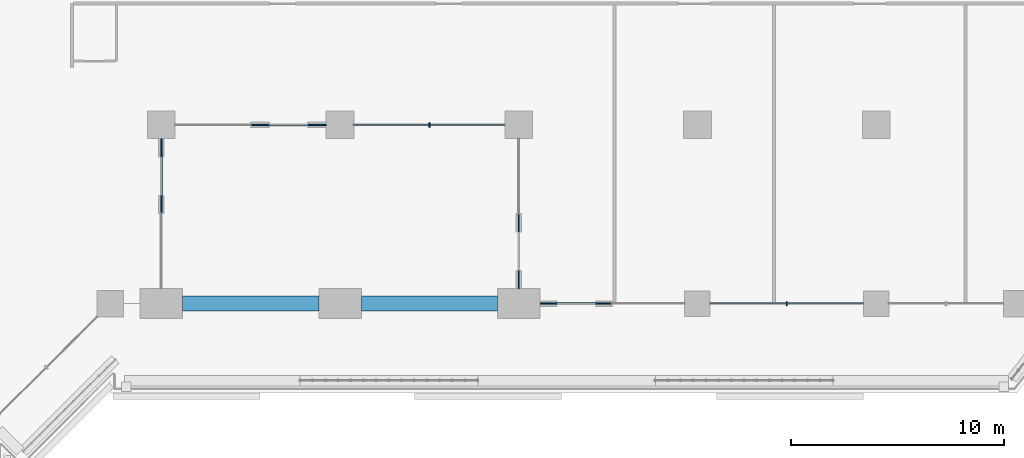
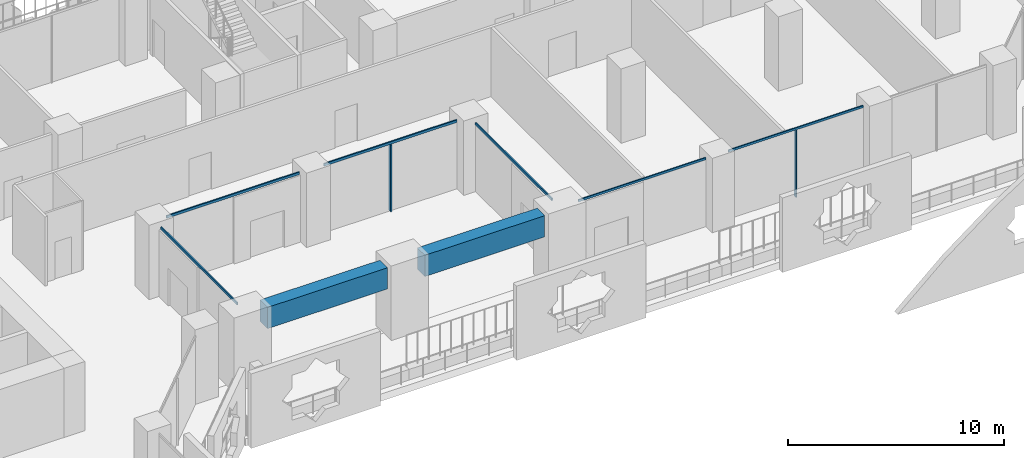
# One storey, part 5 of 27: 8 members, 2 beams, 4 elements without a shape of their own.
"""IFC4 building model written with IfcOpenShell, lengths in metres."""

from ifc_helpers import new_model, si_unit, direction, frame, origin, origin_2d, place, context, subcontext, project, spatial, rectangle, extrude, material, layer, layer_set, material_profile, profile_set, type_object, element, aggregate, save


model = new_model("IFC4")

# Units and contexts
model_context = context("Model", 3, precision=1e-05, world=origin(), true_north=direction((0.0, 1.0)))
body_context = subcontext(model_context, "Body", "Model", "MODEL_VIEW")
ifc_project = project(units=[si_unit("LENGTHUNIT", "METRE"), si_unit("AREAUNIT", "SQUARE_METRE"), si_unit("VOLUMEUNIT", "CUBIC_METRE"), si_unit("PLANEANGLEUNIT", "RADIAN"), si_unit("MASSUNIT", "GRAM", prefix="KILO")], contexts=[model_context])

# Site, building, storey
site_placement = place(None, origin())
site = spatial("IfcSite", under=ifc_project, at=site_placement, CompositionType="ELEMENT")
building_placement = place(site_placement, origin())
building = spatial("IfcBuilding", under=site, at=building_placement, Name="Kawkab Arch Medical Tower", CompositionType="ELEMENT")
storey_placement = place(building_placement, frame((0.0, 0.0, 39.199951171875)))
storey = spatial("IfcBuildingStorey", under=building, at=storey_placement, Name="L08", CompositionType="ELEMENT", Elevation=39.199951171875)

# Curtain wall, members
ifc_material_1 = material(Name="Bronze anodised aluminium curtain wall frame", Category="aluminium")
ifc_layer_1 = layer(ifc_material_1, 0.159912109375)
ifc_layer_set_1 = layer_set([ifc_layer_1], Name="Bronze anodised aluminium curtain wall frame")
curtain_wall_type_1 = type_object("IfcCurtainWallType", Name="CW1 ward curtain wall", PredefinedType="NOTDEFINED", material=ifc_layer_set_1)
placement = place(storey_placement, origin())
curtain_wall_1 = element("IfcCurtainWall", 1, at=placement, inside=storey, type_object=curtain_wall_type_1, Name="CW1 Ward curtain wall R05", PredefinedType="NOTDEFINED")
ifc_material_2 = material(Name="Bronze anodised aluminium curtain wall frame", Category="aluminium")
ifc_material_profile_1 = material_profile(ifc_material_2, rectangle(XDim=0.179931640625, YDim=0.06005859375, at=origin_2d()), Name="AL 60x180")
ifc_profile_set_1 = profile_set([ifc_material_profile_1], Name="Bronze anodised aluminium curtain wall frame")
member_type_1 = type_object("IfcMemberType", Name="CW1 mullion 60 x 180", PredefinedType="MULLION", material=ifc_profile_set_1)
member_1_placement = place(storey_placement, frame((63.0, -25.199951171875, 0.0), z_axis=(0.0, 0.0, 1.0), x_axis=(0.0, 1.0, 0.0)))
member_1 = element("IfcMember", 2, at=member_1_placement, type_object=member_type_1, Name="CW1 mullion 2.1", PredefinedType="MULLION", context=body_context, shape_type="SweptSolid", body=[
    extrude(rectangle(XDim=0.179931640625, YDim=0.06005859375, at=origin_2d()), origin(), (0.0, 0.0, 1.0), 3.780029296875),
])
ifc_material_3 = material(Name="Bronze anodised aluminium curtain wall frame", Category="aluminium")
ifc_material_profile_2 = material_profile(ifc_material_3, rectangle(XDim=0.06005859375, YDim=0.1201171875, at=origin_2d()), Name="AL 60x120")
ifc_profile_set_2 = profile_set([ifc_material_profile_2], Name="Bronze anodised aluminium curtain wall frame")
member_type_2 = type_object("IfcMemberType", Name="CW1 transom 120 x 60", PredefinedType="USERDEFINED", material=ifc_profile_set_2)
member_2_placement = place(storey_placement, frame((51.39990234375, -25.199951171875, 3.840087890625), z_axis=(1.0, 0.0, 0.0), x_axis=(0.0, 1.0, 0.0)))
member_2 = element("IfcMember", 3, at=member_2_placement, type_object=member_type_2, Name="CW1 transom 1", ObjectType="TRANSOM", PredefinedType="USERDEFINED", context=body_context, shape_type="SweptSolid", body=[
    extrude(rectangle(XDim=0.06005859375, YDim=0.1201171875, at=origin_2d()), origin(), (0.0, 0.0, 1.0), 6.800048828125),
])
member_3_placement = place(storey_placement, frame((59.39990234375, -25.199951171875, 3.840087890625), z_axis=(1.0, 0.0, 0.0), x_axis=(0.0, 1.0, 0.0)))
member_3 = element("IfcMember", 4, at=member_3_placement, type_object=member_type_2, Name="CW1 transom 2", ObjectType="TRANSOM", PredefinedType="USERDEFINED", context=body_context, shape_type="SweptSolid", body=[
    extrude(rectangle(XDim=0.06005859375, YDim=0.1201171875, at=origin_2d()), origin(), (0.0, 0.0, 1.0), 7.2001953125),
])
aggregate(curtain_wall_1, [member_2, member_3, member_1])

# Curtain wall, member
ifc_material_4 = material(Name="Bronze anodised aluminium curtain wall frame", Category="aluminium")
ifc_layer_2 = layer(ifc_material_4, 0.159912109375)
ifc_layer_set_2 = layer_set([ifc_layer_2], Name="Bronze anodised aluminium curtain wall frame")
curtain_wall_type_2 = type_object("IfcCurtainWallType", Name="CW3 sky garden curtain wall", PredefinedType="NOTDEFINED", material=ifc_layer_set_2)
curtain_wall_2 = element("IfcCurtainWall", 5, at=placement, inside=storey, type_object=curtain_wall_type_2, Name="CW3 Sky garden curtain wall R03", PredefinedType="NOTDEFINED")
ifc_material_5 = material(Name="Bronze anodised aluminium curtain wall frame", Category="aluminium")
ifc_material_profile_3 = material_profile(ifc_material_5, rectangle(XDim=0.219970703125, YDim=0.070068359375, at=origin_2d()), Name="AL 70x220")
ifc_profile_set_3 = profile_set([ifc_material_profile_3], Name="Bronze anodised aluminium curtain wall frame")
member_type_3 = type_object("IfcMemberType", Name="CW3 mullion 70 x 220", PredefinedType="MULLION", material=ifc_profile_set_3)
member_4_placement = place(storey_placement, frame((46.199951171875, -16.800048828125, 0.0), z_axis=(0.0, 0.0, 1.0), x_axis=(0.0, 1.0, 0.0)))
member_4 = element("IfcMember", 6, at=member_4_placement, type_object=member_type_3, Name="CW3 mullion 2.1", PredefinedType="MULLION", context=body_context, shape_type="SweptSolid", body=[
    extrude(rectangle(XDim=0.219970703125, YDim=0.070068359375, at=origin_2d()), origin(), (0.0, 0.0, 1.0), 3.760009765625),
])

curtain_wall_3 = element("IfcCurtainWall", 7, at=placement, inside=storey, type_object=curtain_wall_type_2, Name="CW3 Sky garden curtain wall R02", PredefinedType="NOTDEFINED")
ifc_material_6 = material(Name="Bronze anodised aluminium curtain wall frame", Category="aluminium")
ifc_material_profile_4 = material_profile(ifc_material_6, rectangle(XDim=0.070068359375, YDim=0.139892578125, at=origin_2d()), Name="AL 70x140")
ifc_profile_set_4 = profile_set([ifc_material_profile_4], Name="Bronze anodised aluminium curtain wall frame")
member_type_4 = type_object("IfcMemberType", Name="CW3 transom 140 x 70", PredefinedType="USERDEFINED", material=ifc_profile_set_4)
member_5_placement = place(storey_placement, frame((33.60009765625, -24.5, 3.830078125), z_axis=(0.0, 1.0, 0.0), x_axis=(-1.0, 0.0, 0.0)))
member_5 = element("IfcMember", 8, at=member_5_placement, type_object=member_type_4, Name="CW3 transom 1", ObjectType="TRANSOM", PredefinedType="USERDEFINED", context=body_context, shape_type="SweptSolid", body=[
    extrude(rectangle(XDim=0.070068359375, YDim=0.139892578125, at=origin_2d()), origin(), (0.0, 0.0, 1.0), 7.050048828125),
])
aggregate(curtain_wall_3, [member_5])

# Member
member_6_placement = place(storey_placement, frame((34.25, -16.800048828125, 3.830078125), z_axis=(1.0, 0.0, 0.0), x_axis=(0.0, 1.0, 0.0)))
member_6 = element("IfcMember", 9, at=member_6_placement, type_object=member_type_4, Name="CW3 transom 1", ObjectType="TRANSOM", PredefinedType="USERDEFINED", context=body_context, shape_type="SweptSolid", body=[
    extrude(rectangle(XDim=0.070068359375, YDim=0.139892578125, at=origin_2d()), origin(), (0.0, 0.0, 1.0), 7.10009765625),
])

member_7_placement = place(storey_placement, frame((42.64990234375, -16.800048828125, 3.830078125), z_axis=(1.0, 0.0, 0.0), x_axis=(0.0, 1.0, 0.0)))
member_7 = element("IfcMember", 10, at=member_7_placement, type_object=member_type_4, Name="CW3 transom 2", ObjectType="TRANSOM", PredefinedType="USERDEFINED", context=body_context, shape_type="SweptSolid", body=[
    extrude(rectangle(XDim=0.070068359375, YDim=0.139892578125, at=origin_2d()), origin(), (0.0, 0.0, 1.0), 7.10009765625),
])

aggregate(curtain_wall_2, [member_6, member_7, member_4])

# Curtain wall, member
curtain_wall_4 = element("IfcCurtainWall", 11, at=placement, inside=storey, type_object=curtain_wall_type_2, Name="CW3 Sky garden curtain wall R04", PredefinedType="NOTDEFINED")
member_8_placement = place(storey_placement, frame((50.39990234375, -17.449951171875, 3.830078125), z_axis=(0.0, -1.0, 0.0), x_axis=(1.0, 0.0, 0.0)))
member_8 = element("IfcMember", 12, at=member_8_placement, type_object=member_type_4, Name="CW3 transom 1", ObjectType="TRANSOM", PredefinedType="USERDEFINED", context=body_context, shape_type="SweptSolid", body=[
    extrude(rectangle(XDim=0.070068359375, YDim=0.139892578125, at=origin_2d()), origin(), (0.0, 0.0, 1.0), 7.050048828125),
])
aggregate(curtain_wall_4, [member_8])

# Beams
ifc_material_7 = material(Name="Concrete C60/75", Category="concrete")
ifc_material_profile_5 = material_profile(ifc_material_7, rectangle(XDim=0.699951171875, YDim=1.199951171875, at=origin_2d()), Name="RC 700x1200")
ifc_profile_set_5 = profile_set([ifc_material_profile_5], Name="Concrete C60/75")
beam_type = type_object("IfcBeamType", Name="RC 700x1200 beam C60/75", PredefinedType="BEAM", material=ifc_profile_set_5)
for number, where, z_axis, x_axis, name in (
    (13, (49.39990234375, -25.199951171875, 3.300048828125), (-1.0, 0.0, 0.0), (0.0, -1.0, 0.0), "Terrace frame beam TF-L08-1-L09-01"),
    (14, (41.0, -25.199951171875, 3.300048828125), (-1.0, 0.0, 0.0), (0.0, -1.0, 0.0), "Terrace frame beam TF-L08-1-L09-02"),
):
    element("IfcBeam", number, at=place(storey_placement, frame(where, z_axis=z_axis, x_axis=x_axis)), inside=storey, type_object=beam_type, Name=name, PredefinedType="BEAM", context=body_context, shape_type="SweptSolid", body=[
        extrude(rectangle(XDim=0.699951171875, YDim=1.199951171875, at=origin_2d()), origin(), (0.0, 0.0, 1.0), 6.39990234375),
    ])

save(model, "model.ifc")
